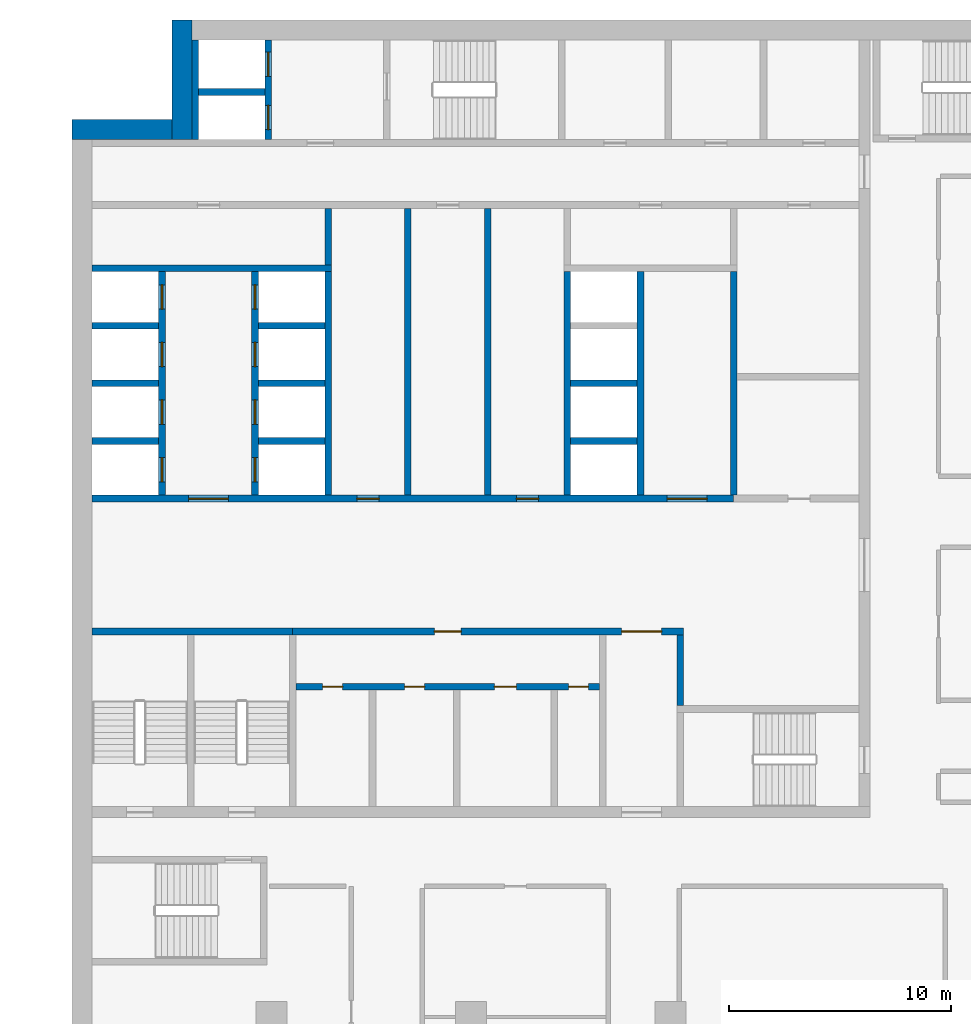
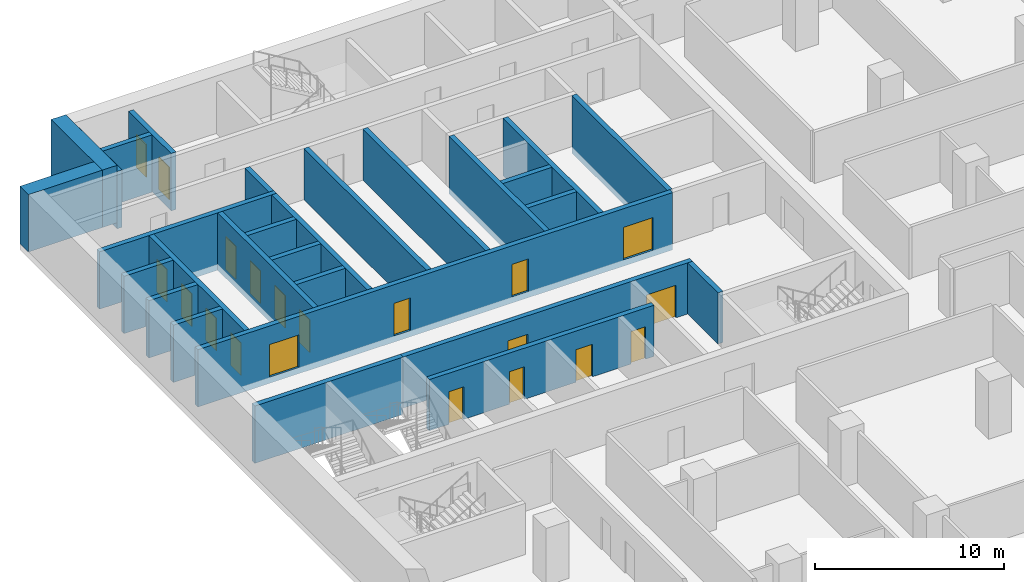
# One storey, part 14 of 28: 28 walls, 20 doors, 20 openings.
"""IFC4 building model written with IfcOpenShell, lengths in metres."""

from ifc_helpers import new_model, si_unit, direction, frame, frame_2d, origin, place, context, subcontext, project, spatial, rectangle, extrude, material, layer, layer_set, type_object, element, fill, save


model = new_model("IFC4")

# Units and contexts
model_context = context("Model", 3, precision=1e-05, world=origin(), true_north=direction((0.0, 1.0)))
body_context = subcontext(model_context, "Body", "Model", "MODEL_VIEW")
ifc_project = project(units=[si_unit("LENGTHUNIT", "METRE"), si_unit("AREAUNIT", "SQUARE_METRE"), si_unit("VOLUMEUNIT", "CUBIC_METRE"), si_unit("PLANEANGLEUNIT", "RADIAN"), si_unit("MASSUNIT", "GRAM", prefix="KILO")], contexts=[model_context])

# Site, building, storey
site_placement = place(None, origin())
site = spatial("IfcSite", under=ifc_project, at=site_placement, CompositionType="ELEMENT")
building_placement = place(site_placement, origin())
building = spatial("IfcBuilding", under=site, at=building_placement, Name="Hunhe Ridgeline Campus", CompositionType="ELEMENT")
storey_placement = place(building_placement, frame((0.0, 0.0, 72.800048828125)))
storey = spatial("IfcBuildingStorey", under=building, at=storey_placement, Name="L17", CompositionType="ELEMENT", Elevation=72.800048828125)

# Wall, openings, doors
ifc_material_1 = material(Name="Masonry concrete blockwork", Category="masonry")
ifc_layer_1 = layer(ifc_material_1, 0.300048828125)
ifc_layer_set_1 = layer_set([ifc_layer_1], Name="Core room partition 300 concrete block")
wall_type_1 = type_object("IfcWallType", Name="Core room partition 300 concrete block", PredefinedType="PARTITIONING", material=ifc_layer_set_1)
wall_1_placement = place(storey_placement, frame((10.10009765625, 68.89990234375, 0.0), z_axis=(0.0, 0.0, 1.0), x_axis=(1.0, 0.0, 0.0)))
wall_1 = element("IfcWall", 1, at=wall_1_placement, inside=storey, type_object=wall_type_1, Name="L17 core partition 11", PredefinedType="PARTITIONING", context=body_context, shape_type="SweptSolid", body=[
    extrude(rectangle(XDim=13.699951171875, YDim=0.300048828125, at=frame_2d((6.85009765625, 0.0))), origin(), (0.0, 0.0, 1.0), 3.300048828125),
])
opening_1_placement = place(wall_1_placement, frame((1.199951171875, 0.0, 0.0)))
opening_1 = element("IfcOpeningElement", 2, at=opening_1_placement, cuts=wall_1, Name="Opening CD8", PredefinedType="OPENING", context=body_context, shape_type="SweptSolid", body=[
    extrude(rectangle(XDim=0.89990234375, YDim=2.10009765625, at=frame_2d((0.449951171875, 1.050048828125))), frame((0.0, 0.14990234375, 0.0), z_axis=(0.0, -1.0, 0.0), x_axis=(1.0, 0.0, 0.0)), (0.0, 0.0, 1.0), 0.300048828125),
])
opening_2_placement = place(wall_1_placement, frame((4.89990234375, 0.0, 0.0)))
opening_2 = element("IfcOpeningElement", 3, at=opening_2_placement, cuts=wall_1, Name="Opening CD9", PredefinedType="OPENING", context=body_context, shape_type="SweptSolid", body=[
    extrude(rectangle(XDim=0.89990234375, YDim=2.10009765625, at=frame_2d((0.449951171875, 1.050048828125))), frame((0.0, 0.14990234375, 0.0), z_axis=(0.0, -1.0, 0.0), x_axis=(1.0, 0.0, 0.0)), (0.0, 0.0, 1.0), 0.300048828125),
])
opening_3_placement = place(wall_1_placement, frame((8.949951171875, 0.0, 0.0)))
opening_3 = element("IfcOpeningElement", 4, at=opening_3_placement, cuts=wall_1, Name="Opening CD10", PredefinedType="OPENING", context=body_context, shape_type="SweptSolid", body=[
    extrude(rectangle(XDim=1.0, YDim=2.10009765625, at=frame_2d((0.5, 1.050048828125))), frame((0.0, 0.14990234375, 0.0), z_axis=(0.0, -1.0, 0.0), x_axis=(1.0, 0.0, 0.0)), (0.0, 0.0, 1.0), 0.300048828125),
])
opening_4_placement = place(wall_1_placement, frame((12.300048828125, 0.0, 0.0)))
opening_4 = element("IfcOpeningElement", 5, at=opening_4_placement, cuts=wall_1, Name="Opening CD11", PredefinedType="OPENING", context=body_context, shape_type="SweptSolid", body=[
    extrude(rectangle(XDim=0.89990234375, YDim=2.10009765625, at=frame_2d((0.449951171875, 1.050048828125))), frame((0.0, 0.14990234375, 0.0), z_axis=(0.0, -1.0, 0.0), x_axis=(1.0, 0.0, 0.0)), (0.0, 0.0, 1.0), 0.300048828125),
])
ifc_material_2 = material(Name="Solid core timber door leaf", Category="wood")
door_type_1 = type_object("IfcDoorType", Name="Timber door 1000x2100", OperationType="SINGLE_SWING_LEFT", PredefinedType="DOOR", material=ifc_material_2)
door_1_placement = place(opening_3_placement, frame((1.0, 0.0, 0.0), z_axis=(0.0, 0.0, 1.0), x_axis=(-1.0, 0.0, 0.0)))
door_1 = element("IfcDoor", 6, at=door_1_placement, inside=storey, type_object=door_type_1, Name="L17 door WC3", OperationType="SINGLE_SWING_RIGHT", OverallHeight=2.10009765625, OverallWidth=1.0, PredefinedType="DOOR", context=body_context, shape_type="SweptSolid", body=[
    extrude(rectangle(XDim=1.0, YDim=2.10009765625, at=frame_2d((0.5, 1.050048828125))), frame((0.0, 0.02490234375, 0.0), z_axis=(0.0, -1.0, 0.0), x_axis=(1.0, 0.0, 0.0)), (0.0, 0.0, 1.0), 0.050048828125),
])
fill(opening_3, door_1)
door_type_2 = type_object("IfcDoorType", Name="Timber door 900x2100", OperationType="SINGLE_SWING_LEFT", PredefinedType="DOOR", material=ifc_material_2)
door_2_placement = place(opening_1_placement, frame((0.89990234375, 0.0, 0.0), z_axis=(0.0, 0.0, 1.0), x_axis=(-1.0, 0.0, 0.0)))
door_2 = element("IfcDoor", 7, at=door_2_placement, inside=storey, type_object=door_type_2, Name="L17 door WC1", OperationType="SINGLE_SWING_RIGHT", OverallHeight=2.10009765625, OverallWidth=0.89990234375, PredefinedType="DOOR", context=body_context, shape_type="SweptSolid", body=[
    extrude(rectangle(XDim=0.89990234375, YDim=2.10009765625, at=frame_2d((0.449951171875, 1.050048828125))), frame((0.0, 0.02490234375, 0.0), z_axis=(0.0, -1.0, 0.0), x_axis=(1.0, 0.0, 0.0)), (0.0, 0.0, 1.0), 0.050048828125),
])
fill(opening_1, door_2)
door_3_placement = place(opening_2_placement, frame((0.89990234375, 0.0, 0.0), z_axis=(0.0, 0.0, 1.0), x_axis=(-1.0, 0.0, 0.0)))
door_3 = element("IfcDoor", 8, at=door_3_placement, inside=storey, type_object=door_type_2, Name="L17 door WC2", OperationType="SINGLE_SWING_LEFT", OverallHeight=2.10009765625, OverallWidth=0.89990234375, PredefinedType="DOOR", context=body_context, shape_type="SweptSolid", body=[
    extrude(rectangle(XDim=0.89990234375, YDim=2.10009765625, at=frame_2d((0.449951171875, 1.050048828125))), frame((0.0, 0.02490234375, 0.0), z_axis=(0.0, -1.0, 0.0), x_axis=(1.0, 0.0, 0.0)), (0.0, 0.0, 1.0), 0.050048828125),
])
fill(opening_2, door_3)
door_4_placement = place(opening_4_placement, frame((0.89990234375, 0.0, 0.0), z_axis=(0.0, 0.0, 1.0), x_axis=(-1.0, 0.0, 0.0)))
door_4 = element("IfcDoor", 9, at=door_4_placement, inside=storey, type_object=door_type_2, Name="L17 door WC4", OperationType="SINGLE_SWING_LEFT", OverallHeight=2.10009765625, OverallWidth=0.89990234375, PredefinedType="DOOR", context=body_context, shape_type="SweptSolid", body=[
    extrude(rectangle(XDim=0.89990234375, YDim=2.10009765625, at=frame_2d((0.449951171875, 1.050048828125))), frame((0.0, 0.02490234375, 0.0), z_axis=(0.0, -1.0, 0.0), x_axis=(1.0, 0.0, 0.0)), (0.0, 0.0, 1.0), 0.050048828125),
])
fill(opening_4, door_4)

wall_2_placement = place(storey_placement, frame((9.949951171875, 71.39990234375, 0.0), z_axis=(0.0, 0.0, 1.0), x_axis=(1.0, 0.0, 0.0)))
wall_2 = element("IfcWall", 10, at=wall_2_placement, inside=storey, type_object=wall_type_1, Name="L17 core partition 13", PredefinedType="PARTITIONING", context=body_context, shape_type="SweptSolid", body=[
    extrude(rectangle(XDim=17.650146484375, YDim=0.300048828125, at=frame_2d((8.8251953125, 0.0))), origin(), (0.0, 0.0, 1.0), 3.300048828125),
])
opening_5_placement = place(wall_2_placement, frame((14.85009765625, 0.0, 0.0)))
opening_5 = element("IfcOpeningElement", 11, at=opening_5_placement, cuts=wall_2, Name="Opening CD7", PredefinedType="OPENING", context=body_context, shape_type="SweptSolid", body=[
    extrude(rectangle(XDim=1.800048828125, YDim=2.10009765625, at=frame_2d((0.89990234375, 1.050048828125))), frame((0.0, 0.14990234375, 0.0), z_axis=(0.0, -1.0, 0.0), x_axis=(1.0, 0.0, 0.0)), (0.0, 0.0, 1.0), 0.300048828125),
])
opening_6_placement = place(wall_2_placement, frame((6.39990234375, 0.0, 0.0)))
opening_6 = element("IfcOpeningElement", 12, at=opening_6_placement, cuts=wall_2, Name="Opening CD37", PredefinedType="OPENING", context=body_context, shape_type="SweptSolid", body=[
    extrude(rectangle(XDim=1.199951171875, YDim=2.10009765625, at=frame_2d((0.60009765625, 1.050048828125))), frame((0.0, 0.14990234375, 0.0), z_axis=(0.0, -1.0, 0.0), x_axis=(1.0, 0.0, 0.0)), (0.0, 0.0, 1.0), 0.300048828125),
])
ifc_material_3 = material(Name="Anodised aluminium and glass", Category="aluminium")
door_type_3 = type_object("IfcDoorType", Name="Glazed double door 1800x2100", OperationType="DOUBLE_DOOR_SINGLE_SWING", PredefinedType="DOOR", material=ifc_material_3)
door_5_placement = place(opening_5_placement, origin())
door_5 = element("IfcDoor", 13, at=door_5_placement, inside=storey, type_object=door_type_3, Name="L17 door VEST-HALL", OperationType="DOUBLE_DOOR_SINGLE_SWING", OverallHeight=2.10009765625, OverallWidth=1.800048828125, PredefinedType="DOOR", context=body_context, shape_type="SweptSolid", body=[
    extrude(rectangle(XDim=1.800048828125, YDim=2.10009765625, at=frame_2d((0.89990234375, 1.050048828125))), frame((0.0, 0.02490234375, 0.0), z_axis=(0.0, -1.0, 0.0), x_axis=(1.0, 0.0, 0.0)), (0.0, 0.0, 1.0), 0.050048828125),
])
fill(opening_5, door_5)
door_type_4 = type_object("IfcDoorType", Name="Timber door 1200x2100", OperationType="SINGLE_SWING_LEFT", PredefinedType="DOOR", material=ifc_material_2)
door_6_placement = place(opening_6_placement, origin())
door_6 = element("IfcDoor", 14, at=door_6_placement, inside=storey, type_object=door_type_4, Name="L17 door WCL1-HALL", OperationType="SINGLE_SWING_LEFT", OverallHeight=2.10009765625, OverallWidth=1.199951171875, PredefinedType="DOOR", context=body_context, shape_type="SweptSolid", body=[
    extrude(rectangle(XDim=1.199951171875, YDim=2.10009765625, at=frame_2d((0.60009765625, 1.050048828125))), frame((0.0, 0.02490234375, 0.0), z_axis=(0.0, -1.0, 0.0), x_axis=(1.0, 0.0, 0.0)), (0.0, 0.0, 1.0), 0.050048828125),
])
fill(opening_6, door_6)

# Walls
wall_3_placement = place(storey_placement, frame((11.550048828125, 87.949951171875, 0.0), z_axis=(0.0, 0.0, 1.0), x_axis=(0.0, 1.0, 0.0)))
element("IfcWall", 15, at=wall_3_placement, inside=storey, type_object=wall_type_1, Name="L17 core partition 44", PredefinedType="PARTITIONING", context=body_context, shape_type="SweptSolid", body=[
    extrude(rectangle(XDim=2.550048828125, YDim=0.300048828125, at=frame_2d((1.27490234375, 0.0))), origin(), (0.0, 0.0, 1.0), 3.300048828125),
])
for number, where, z_axis, x_axis, name in (
    (16, (15.14990234375, 77.550048828125, 0.0), (0.0, 0.0, 1.0), (0.0, 1.0, 0.0), "L17 core partition 47"),
    (17, (18.75, 77.550048828125, 0.0), (0.0, 0.0, 1.0), (0.0, 1.0, 0.0), "L17 core partition 49"),
):
    element("IfcWall", number, at=place(storey_placement, frame(where, z_axis=z_axis, x_axis=x_axis)), inside=storey, type_object=wall_type_1, Name=name, PredefinedType="PARTITIONING", context=body_context, shape_type="SweptSolid", body=[
        extrude(rectangle(XDim=12.949951171875, YDim=0.300048828125, at=frame_2d((6.47509765625, 0.0))), origin(), (0.0, 0.0, 1.0), 3.300048828125),
    ])
wall_4_placement = place(storey_placement, frame((27.449951171875, 68.050048828125, 0.0), z_axis=(0.0, 0.0, 1.0), x_axis=(0.0, 1.0, 0.0)))
element("IfcWall", 18, at=wall_4_placement, inside=storey, type_object=wall_type_1, Name="L17 core partition 60", PredefinedType="PARTITIONING", context=body_context, shape_type="SweptSolid", body=[
    extrude(rectangle(XDim=3.199951171875, YDim=0.300048828125, at=frame_2d((1.60009765625, 0.0))), origin(), (0.0, 0.0, 1.0), 3.300048828125),
])
ifc_material_4 = material(Name="Concrete C80", Category="concrete")
ifc_layer_2 = layer(ifc_material_4, 0.300048828125)
ifc_layer_set_2 = layer_set([ifc_layer_2], Name="Lobby wall 300 reinforced concrete C80")
wall_type_2 = type_object("IfcWallType", Name="Lobby wall 300 reinforced concrete C80", PredefinedType="SOLIDWALL", material=ifc_layer_set_2)
wall_5_placement = place(storey_placement, frame((29.85009765625, 77.550048828125, -0.400146484375), z_axis=(0.0, 0.0, 1.0), x_axis=(0.0, 1.0, 0.0)))
element("IfcWall", 19, at=wall_5_placement, inside=storey, type_object=wall_type_2, Name="L17 core wall 61", PredefinedType="SOLIDWALL", context=body_context, shape_type="SweptSolid", body=[
    extrude(rectangle(XDim=10.099853515625, YDim=0.300048828125, at=frame_2d((5.0498046875, 0.0))), origin(), (0.0, 0.0, 1.0), 3.7001953125),
])

# Wall, openings, doors
ifc_layer_3 = layer(ifc_material_4, 0.300048828125)
ifc_layer_set_3 = layer_set([ifc_layer_3], Name="Shaft wall 300 reinforced concrete C80")
wall_type_3 = type_object("IfcWallType", Name="Shaft wall 300 reinforced concrete C80", PredefinedType="SOLIDWALL", material=ifc_layer_set_3)
wall_6_placement = place(storey_placement, frame((0.89990234375, 77.39990234375, -0.400146484375), z_axis=(0.0, 0.0, 1.0), x_axis=(1.0, 0.0, 0.0)))
wall_6 = element("IfcWall", 20, at=wall_6_placement, inside=storey, type_object=wall_type_3, Name="L17 core wall 14", PredefinedType="SOLIDWALL", context=body_context, shape_type="SweptSolid", body=[
    extrude(rectangle(XDim=28.9501953125, YDim=0.300048828125, at=frame_2d((14.47509765625, 0.0))), origin(), (0.0, 0.0, 1.0), 3.7001953125),
])
opening_7_placement = place(wall_6_placement, frame((4.35009765625, 0.0, 0.39990234375)))
opening_7 = element("IfcOpeningElement", 21, at=opening_7_placement, cuts=wall_6, Name="Opening CD1", PredefinedType="OPENING", context=body_context, shape_type="SweptSolid", body=[
    extrude(rectangle(XDim=1.800048828125, YDim=2.10009765625, at=frame_2d((0.89990234375, 1.050048828125))), frame((0.0, 0.14990234375, 0.0), z_axis=(0.0, -1.0, 0.0), x_axis=(1.0, 0.0, 0.0)), (0.0, 0.0, 1.0), 0.300048828125),
])
opening_8_placement = place(wall_6_placement, frame((25.949951171875, 0.0, 0.39990234375)))
opening_8 = element("IfcOpeningElement", 22, at=opening_8_placement, cuts=wall_6, Name="Opening CD2", PredefinedType="OPENING", context=body_context, shape_type="SweptSolid", body=[
    extrude(rectangle(XDim=1.800048828125, YDim=2.10009765625, at=frame_2d((0.89990234375, 1.050048828125))), frame((0.0, 0.14990234375, 0.0), z_axis=(0.0, -1.0, 0.0), x_axis=(1.0, 0.0, 0.0)), (0.0, 0.0, 1.0), 0.300048828125),
])
opening_9_placement = place(wall_6_placement, frame((11.949951171875, 0.0, 0.39990234375)))
opening_9 = element("IfcOpeningElement", 23, at=opening_9_placement, cuts=wall_6, Name="Opening CD28", PredefinedType="OPENING", context=body_context, shape_type="SweptSolid", body=[
    extrude(rectangle(XDim=1.0, YDim=2.10009765625, at=frame_2d((0.5, 1.050048828125))), frame((0.0, 0.14990234375, 0.0), z_axis=(0.0, -1.0, 0.0), x_axis=(1.0, 0.0, 0.0)), (0.0, 0.0, 1.0), 0.300048828125),
])
opening_10_placement = place(wall_6_placement, frame((19.14990234375, 0.0, 0.39990234375)))
opening_10 = element("IfcOpeningElement", 24, at=opening_10_placement, cuts=wall_6, Name="Opening CD30", PredefinedType="OPENING", context=body_context, shape_type="SweptSolid", body=[
    extrude(rectangle(XDim=1.0, YDim=2.10009765625, at=frame_2d((0.5, 1.050048828125))), frame((0.0, 0.14990234375, 0.0), z_axis=(0.0, -1.0, 0.0), x_axis=(1.0, 0.0, 0.0)), (0.0, 0.0, 1.0), 0.300048828125),
])
ifc_material_5 = material(Name="Hollow metal fire door leaf")
door_type_5 = type_object("IfcDoorType", Name="Lobby door 1800x2100 FD60", OperationType="SINGLE_SWING_LEFT", PredefinedType="DOOR", material=ifc_material_5)
door_7_placement = place(opening_7_placement, frame((1.800048828125, 0.0, 0.0), z_axis=(0.0, 0.0, 1.0), x_axis=(-1.0, 0.0, 0.0)))
door_7 = element("IfcDoor", 25, at=door_7_placement, inside=storey, type_object=door_type_5, Name="L17 door LOB-LR", OperationType="SINGLE_SWING_RIGHT", OverallHeight=2.10009765625, OverallWidth=1.800048828125, PredefinedType="DOOR", context=body_context, shape_type="SweptSolid", body=[
    extrude(rectangle(XDim=1.800048828125, YDim=2.10009765625, at=frame_2d((0.89990234375, 1.050048828125))), frame((0.0, 0.02490234375, 0.0), z_axis=(0.0, -1.0, 0.0), x_axis=(1.0, 0.0, 0.0)), (0.0, 0.0, 1.0), 0.050048828125),
])
fill(opening_7, door_7)
door_8_placement = place(opening_8_placement, frame((1.800048828125, 0.0, 0.0), z_axis=(0.0, 0.0, 1.0), x_axis=(-1.0, 0.0, 0.0)))
door_8 = element("IfcDoor", 26, at=door_8_placement, inside=storey, type_object=door_type_5, Name="L17 door LOB-SH", OperationType="SINGLE_SWING_LEFT", OverallHeight=2.10009765625, OverallWidth=1.800048828125, PredefinedType="DOOR", context=body_context, shape_type="SweptSolid", body=[
    extrude(rectangle(XDim=1.800048828125, YDim=2.10009765625, at=frame_2d((0.89990234375, 1.050048828125))), frame((0.0, 0.02490234375, 0.0), z_axis=(0.0, -1.0, 0.0), x_axis=(1.0, 0.0, 0.0)), (0.0, 0.0, 1.0), 0.050048828125),
])
fill(opening_8, door_8)
door_9_placement = place(opening_9_placement, origin())
door_9 = element("IfcDoor", 27, at=door_9_placement, inside=storey, type_object=door_type_1, Name="L17 door VD-HR0", OperationType="SINGLE_SWING_LEFT", OverallHeight=2.10009765625, OverallWidth=1.0, PredefinedType="DOOR", context=body_context, shape_type="SweptSolid", body=[
    extrude(rectangle(XDim=1.0, YDim=2.10009765625, at=frame_2d((0.5, 1.050048828125))), frame((0.0, 0.02490234375, 0.0), z_axis=(0.0, -1.0, 0.0), x_axis=(1.0, 0.0, 0.0)), (0.0, 0.0, 1.0), 0.050048828125),
])
fill(opening_9, door_9)
door_10_placement = place(opening_10_placement, origin())
door_10 = element("IfcDoor", 28, at=door_10_placement, inside=storey, type_object=door_type_1, Name="L17 door VD-HR2", OperationType="SINGLE_SWING_LEFT", OverallHeight=2.10009765625, OverallWidth=1.0, PredefinedType="DOOR", context=body_context, shape_type="SweptSolid", body=[
    extrude(rectangle(XDim=1.0, YDim=2.10009765625, at=frame_2d((0.5, 1.050048828125))), frame((0.0, 0.02490234375, 0.0), z_axis=(0.0, -1.0, 0.0), x_axis=(1.0, 0.0, 0.0)), (0.0, 0.0, 1.0), 0.050048828125),
])
fill(opening_10, door_10)

# Walls
for number, where, z_axis, x_axis, name in (
    (29, (0.89990234375, 80.0, -0.400146484375), (0.0, 0.0, 1.0), (1.0, 0.0, 0.0), "L17 core wall 16"),
    (30, (8.39990234375, 80.0, -0.400146484375), (0.0, 0.0, 1.0), (1.0, 0.0, 0.0), "L17 core wall 17"),
    (31, (22.5, 80.0, -0.400146484375), (0.0, 0.0, 1.0), (1.0, 0.0, 0.0), "L17 core wall 18"),
    (32, (0.89990234375, 82.60009765625, -0.400146484375), (0.0, 0.0, 1.0), (1.0, 0.0, 0.0), "L17 core wall 19"),
    (33, (8.39990234375, 82.60009765625, -0.400146484375), (0.0, 0.0, 1.0), (1.0, 0.0, 0.0), "L17 core wall 20"),
    (34, (22.5, 82.60009765625, -0.400146484375), (0.0, 0.0, 1.0), (1.0, 0.0, 0.0), "L17 core wall 21"),
    (35, (0.89990234375, 85.199951171875, -0.400146484375), (0.0, 0.0, 1.0), (1.0, 0.0, 0.0), "L17 core wall 23"),
    (36, (8.39990234375, 85.199951171875, -0.400146484375), (0.0, 0.0, 1.0), (1.0, 0.0, 0.0), "L17 core wall 24"),
):
    element("IfcWall", number, at=place(storey_placement, frame(where, z_axis=z_axis, x_axis=x_axis)), inside=storey, type_object=wall_type_3, Name=name, PredefinedType="SOLIDWALL", context=body_context, shape_type="SweptSolid", body=[
        extrude(rectangle(XDim=3.0, YDim=0.300048828125, at=frame_2d((1.5, 0.0))), origin(), (0.0, 0.0, 1.0), 3.7001953125),
    ])
wall_7_placement = place(storey_placement, frame((0.89990234375, 87.800048828125, -0.400146484375), z_axis=(0.0, 0.0, 1.0), x_axis=(1.0, 0.0, 0.0)))
element("IfcWall", 37, at=wall_7_placement, inside=storey, type_object=wall_type_3, Name="L17 core wall 26", PredefinedType="SOLIDWALL", context=body_context, shape_type="SweptSolid", body=[
    extrude(rectangle(XDim=10.800048828125, YDim=0.300048828125, at=frame_2d((5.39990234375, 0.0))), origin(), (0.0, 0.0, 1.0), 3.7001953125),
])
wall_8_placement = place(storey_placement, frame((5.699951171875, 95.75, -0.400146484375), z_axis=(0.0, 0.0, 1.0), x_axis=(1.0, 0.0, 0.0)))
element("IfcWall", 38, at=wall_8_placement, inside=storey, type_object=wall_type_3, Name="L17 core wall 34", PredefinedType="SOLIDWALL", context=body_context, shape_type="SweptSolid", body=[
    extrude(rectangle(XDim=3.0, YDim=0.300048828125, at=frame_2d((1.5, 0.0))), origin(), (0.0, 0.0, 1.0), 3.7001953125),
])

# Wall, openings, doors
wall_9_placement = place(storey_placement, frame((4.050048828125, 77.550048828125, -0.400146484375), z_axis=(0.0, 0.0, 1.0), x_axis=(0.0, 1.0, 0.0)))
wall_9 = element("IfcWall", 39, at=wall_9_placement, inside=storey, type_object=wall_type_3, Name="L17 core wall 35", PredefinedType="SOLIDWALL", context=body_context, shape_type="SweptSolid", body=[
    extrude(rectangle(XDim=10.099853515625, YDim=0.300048828125, at=frame_2d((5.0498046875, 0.0))), origin(), (0.0, 0.0, 1.0), 3.7001953125),
])
opening_11_placement = place(wall_9_placement, frame((0.60009765625, 0.0, 0.39990234375)))
opening_11 = element("IfcOpeningElement", 40, at=opening_11_placement, cuts=wall_9, Name="Opening LD-LR1", PredefinedType="OPENING", context=body_context, shape_type="SweptSolid", body=[
    extrude(rectangle(XDim=1.10009765625, YDim=2.10009765625, at=frame_2d((0.550048828125, 1.050048828125))), frame((0.0, 0.14990234375, 0.0), z_axis=(0.0, -1.0, 0.0), x_axis=(1.0, 0.0, 0.0)), (0.0, 0.0, 1.0), 0.300048828125),
])
opening_12_placement = place(wall_9_placement, frame((3.199951171875, 0.0, 0.39990234375)))
opening_12 = element("IfcOpeningElement", 41, at=opening_12_placement, cuts=wall_9, Name="Opening LD-LR2", PredefinedType="OPENING", context=body_context, shape_type="SweptSolid", body=[
    extrude(rectangle(XDim=1.10009765625, YDim=2.10009765625, at=frame_2d((0.550048828125, 1.050048828125))), frame((0.0, 0.14990234375, 0.0), z_axis=(0.0, -1.0, 0.0), x_axis=(1.0, 0.0, 0.0)), (0.0, 0.0, 1.0), 0.300048828125),
])
opening_13_placement = place(wall_9_placement, frame((5.800048828125, 0.0, 0.39990234375)))
opening_13 = element("IfcOpeningElement", 42, at=opening_13_placement, cuts=wall_9, Name="Opening LD-LR3", PredefinedType="OPENING", context=body_context, shape_type="SweptSolid", body=[
    extrude(rectangle(XDim=1.10009765625, YDim=2.10009765625, at=frame_2d((0.550048828125, 1.050048828125))), frame((0.0, 0.14990234375, 0.0), z_axis=(0.0, -1.0, 0.0), x_axis=(1.0, 0.0, 0.0)), (0.0, 0.0, 1.0), 0.300048828125),
])
opening_14_placement = place(wall_9_placement, frame((8.39990234375, 0.0, 0.39990234375)))
opening_14 = element("IfcOpeningElement", 43, at=opening_14_placement, cuts=wall_9, Name="Opening LD-LR4", PredefinedType="OPENING", context=body_context, shape_type="SweptSolid", body=[
    extrude(rectangle(XDim=1.10009765625, YDim=2.10009765625, at=frame_2d((0.550048828125, 1.050048828125))), frame((0.0, 0.14990234375, 0.0), z_axis=(0.0, -1.0, 0.0), x_axis=(1.0, 0.0, 0.0)), (0.0, 0.0, 1.0), 0.300048828125),
])
ifc_material_6 = material(Name="Stainless steel sliding leaves", Category="steel")
door_type_6 = type_object("IfcDoorType", Name="Landing door 1100x2100 FD120", OperationType="SLIDING_TO_LEFT", PredefinedType="DOOR", material=ifc_material_6)
door_11_placement = place(opening_11_placement, origin())
door_11 = element("IfcDoor", 44, at=door_11_placement, inside=storey, type_object=door_type_6, Name="L17 landing door LR1", OperationType="SLIDING_TO_RIGHT", OverallHeight=2.10009765625, OverallWidth=1.10009765625, PredefinedType="DOOR", context=body_context, shape_type="SweptSolid", body=[
    extrude(rectangle(XDim=1.10009765625, YDim=2.10009765625, at=frame_2d((0.550048828125, 1.050048828125))), frame((0.0, 0.02490234375, 0.0), z_axis=(0.0, -1.0, 0.0), x_axis=(1.0, 0.0, 0.0)), (0.0, 0.0, 1.0), 0.050048828125),
])
fill(opening_11, door_11)
door_12_placement = place(opening_12_placement, origin())
door_12 = element("IfcDoor", 45, at=door_12_placement, inside=storey, type_object=door_type_6, Name="L17 landing door LR2", OperationType="SLIDING_TO_LEFT", OverallHeight=2.10009765625, OverallWidth=1.10009765625, PredefinedType="DOOR", context=body_context, shape_type="SweptSolid", body=[
    extrude(rectangle(XDim=1.10009765625, YDim=2.10009765625, at=frame_2d((0.550048828125, 1.050048828125))), frame((0.0, 0.02490234375, 0.0), z_axis=(0.0, -1.0, 0.0), x_axis=(1.0, 0.0, 0.0)), (0.0, 0.0, 1.0), 0.050048828125),
])
fill(opening_12, door_12)
door_13_placement = place(opening_13_placement, origin())
door_13 = element("IfcDoor", 46, at=door_13_placement, inside=storey, type_object=door_type_6, Name="L17 landing door LR3", OperationType="SLIDING_TO_RIGHT", OverallHeight=2.10009765625, OverallWidth=1.10009765625, PredefinedType="DOOR", context=body_context, shape_type="SweptSolid", body=[
    extrude(rectangle(XDim=1.10009765625, YDim=2.10009765625, at=frame_2d((0.550048828125, 1.050048828125))), frame((0.0, 0.02490234375, 0.0), z_axis=(0.0, -1.0, 0.0), x_axis=(1.0, 0.0, 0.0)), (0.0, 0.0, 1.0), 0.050048828125),
])
fill(opening_13, door_13)
door_14_placement = place(opening_14_placement, origin())
door_14 = element("IfcDoor", 47, at=door_14_placement, inside=storey, type_object=door_type_6, Name="L17 landing door LR4", OperationType="SLIDING_TO_LEFT", OverallHeight=2.10009765625, OverallWidth=1.10009765625, PredefinedType="DOOR", context=body_context, shape_type="SweptSolid", body=[
    extrude(rectangle(XDim=1.10009765625, YDim=2.10009765625, at=frame_2d((0.550048828125, 1.050048828125))), frame((0.0, 0.02490234375, 0.0), z_axis=(0.0, -1.0, 0.0), x_axis=(1.0, 0.0, 0.0)), (0.0, 0.0, 1.0), 0.050048828125),
])
fill(opening_14, door_14)

# Wall
wall_10_placement = place(storey_placement, frame((5.550048828125, 93.60009765625, -0.400146484375), z_axis=(0.0, 0.0, 1.0), x_axis=(0.0, 1.0, 0.0)))
element("IfcWall", 48, at=wall_10_placement, inside=storey, type_object=wall_type_3, Name="L17 core wall 37", PredefinedType="SOLIDWALL", context=body_context, shape_type="SweptSolid", body=[
    extrude(rectangle(XDim=4.5, YDim=0.300048828125, at=frame_2d((2.25, 0.0))), origin(), (0.0, 0.0, 1.0), 3.7001953125),
])

# Wall, openings, doors
wall_11_placement = place(storey_placement, frame((8.25, 77.550048828125, -0.400146484375), z_axis=(0.0, 0.0, 1.0), x_axis=(0.0, 1.0, 0.0)))
wall_11 = element("IfcWall", 49, at=wall_11_placement, inside=storey, type_object=wall_type_3, Name="L17 core wall 38", PredefinedType="SOLIDWALL", context=body_context, shape_type="SweptSolid", body=[
    extrude(rectangle(XDim=10.099853515625, YDim=0.300048828125, at=frame_2d((5.0498046875, 0.0))), origin(), (0.0, 0.0, 1.0), 3.7001953125),
])
opening_15_placement = place(wall_11_placement, frame((0.60009765625, 0.0, 0.39990234375)))
opening_15 = element("IfcOpeningElement", 50, at=opening_15_placement, cuts=wall_11, Name="Opening LD-LR5", PredefinedType="OPENING", context=body_context, shape_type="SweptSolid", body=[
    extrude(rectangle(XDim=1.10009765625, YDim=2.10009765625, at=frame_2d((0.550048828125, 1.050048828125))), frame((0.0, 0.14990234375, 0.0), z_axis=(0.0, -1.0, 0.0), x_axis=(1.0, 0.0, 0.0)), (0.0, 0.0, 1.0), 0.300048828125),
])
opening_16_placement = place(wall_11_placement, frame((3.199951171875, 0.0, 0.39990234375)))
opening_16 = element("IfcOpeningElement", 51, at=opening_16_placement, cuts=wall_11, Name="Opening LD-LR6", PredefinedType="OPENING", context=body_context, shape_type="SweptSolid", body=[
    extrude(rectangle(XDim=1.10009765625, YDim=2.10009765625, at=frame_2d((0.550048828125, 1.050048828125))), frame((0.0, 0.14990234375, 0.0), z_axis=(0.0, -1.0, 0.0), x_axis=(1.0, 0.0, 0.0)), (0.0, 0.0, 1.0), 0.300048828125),
])
opening_17_placement = place(wall_11_placement, frame((5.800048828125, 0.0, 0.39990234375)))
opening_17 = element("IfcOpeningElement", 52, at=opening_17_placement, cuts=wall_11, Name="Opening LD-LR7", PredefinedType="OPENING", context=body_context, shape_type="SweptSolid", body=[
    extrude(rectangle(XDim=1.10009765625, YDim=2.10009765625, at=frame_2d((0.550048828125, 1.050048828125))), frame((0.0, 0.14990234375, 0.0), z_axis=(0.0, -1.0, 0.0), x_axis=(1.0, 0.0, 0.0)), (0.0, 0.0, 1.0), 0.300048828125),
])
opening_18_placement = place(wall_11_placement, frame((8.39990234375, 0.0, 0.39990234375)))
opening_18 = element("IfcOpeningElement", 53, at=opening_18_placement, cuts=wall_11, Name="Opening LD-LR8", PredefinedType="OPENING", context=body_context, shape_type="SweptSolid", body=[
    extrude(rectangle(XDim=1.10009765625, YDim=2.10009765625, at=frame_2d((0.550048828125, 1.050048828125))), frame((0.0, 0.14990234375, 0.0), z_axis=(0.0, -1.0, 0.0), x_axis=(1.0, 0.0, 0.0)), (0.0, 0.0, 1.0), 0.300048828125),
])
door_15_placement = place(opening_15_placement, origin())
door_15 = element("IfcDoor", 54, at=door_15_placement, inside=storey, type_object=door_type_6, Name="L17 landing door LR5", OperationType="SLIDING_TO_RIGHT", OverallHeight=2.10009765625, OverallWidth=1.10009765625, PredefinedType="DOOR", context=body_context, shape_type="SweptSolid", body=[
    extrude(rectangle(XDim=1.10009765625, YDim=2.10009765625, at=frame_2d((0.550048828125, 1.050048828125))), frame((0.0, 0.02490234375, 0.0), z_axis=(0.0, -1.0, 0.0), x_axis=(1.0, 0.0, 0.0)), (0.0, 0.0, 1.0), 0.050048828125),
])
fill(opening_15, door_15)
door_16_placement = place(opening_16_placement, origin())
door_16 = element("IfcDoor", 55, at=door_16_placement, inside=storey, type_object=door_type_6, Name="L17 landing door LR6", OperationType="SLIDING_TO_LEFT", OverallHeight=2.10009765625, OverallWidth=1.10009765625, PredefinedType="DOOR", context=body_context, shape_type="SweptSolid", body=[
    extrude(rectangle(XDim=1.10009765625, YDim=2.10009765625, at=frame_2d((0.550048828125, 1.050048828125))), frame((0.0, 0.02490234375, 0.0), z_axis=(0.0, -1.0, 0.0), x_axis=(1.0, 0.0, 0.0)), (0.0, 0.0, 1.0), 0.050048828125),
])
fill(opening_16, door_16)
door_17_placement = place(opening_17_placement, origin())
door_17 = element("IfcDoor", 56, at=door_17_placement, inside=storey, type_object=door_type_6, Name="L17 landing door LR7", OperationType="SLIDING_TO_RIGHT", OverallHeight=2.10009765625, OverallWidth=1.10009765625, PredefinedType="DOOR", context=body_context, shape_type="SweptSolid", body=[
    extrude(rectangle(XDim=1.10009765625, YDim=2.10009765625, at=frame_2d((0.550048828125, 1.050048828125))), frame((0.0, 0.02490234375, 0.0), z_axis=(0.0, -1.0, 0.0), x_axis=(1.0, 0.0, 0.0)), (0.0, 0.0, 1.0), 0.050048828125),
])
fill(opening_17, door_17)
door_18_placement = place(opening_18_placement, origin())
door_18 = element("IfcDoor", 57, at=door_18_placement, inside=storey, type_object=door_type_6, Name="L17 landing door LR8", OperationType="SLIDING_TO_LEFT", OverallHeight=2.10009765625, OverallWidth=1.10009765625, PredefinedType="DOOR", context=body_context, shape_type="SweptSolid", body=[
    extrude(rectangle(XDim=1.10009765625, YDim=2.10009765625, at=frame_2d((0.550048828125, 1.050048828125))), frame((0.0, 0.02490234375, 0.0), z_axis=(0.0, -1.0, 0.0), x_axis=(1.0, 0.0, 0.0)), (0.0, 0.0, 1.0), 0.050048828125),
])
fill(opening_18, door_18)

wall_12_placement = place(storey_placement, frame((8.85009765625, 93.60009765625, -0.400146484375), z_axis=(0.0, 0.0, 1.0), x_axis=(0.0, 1.0, 0.0)))
wall_12 = element("IfcWall", 58, at=wall_12_placement, inside=storey, type_object=wall_type_3, Name="L17 core wall 41", PredefinedType="SOLIDWALL", context=body_context, shape_type="SweptSolid", body=[
    extrude(rectangle(XDim=4.5, YDim=0.300048828125, at=frame_2d((2.25, 0.0))), origin(), (0.0, 0.0, 1.0), 3.7001953125),
])
opening_19_placement = place(wall_12_placement, frame((0.449951171875, 0.0, 0.39990234375)))
opening_19 = element("IfcOpeningElement", 59, at=opening_19_placement, cuts=wall_12, Name="Opening LD-FF1", PredefinedType="OPENING", context=body_context, shape_type="SweptSolid", body=[
    extrude(rectangle(XDim=1.10009765625, YDim=2.10009765625, at=frame_2d((0.550048828125, 1.050048828125))), frame((0.0, 0.14990234375, 0.0), z_axis=(0.0, -1.0, 0.0), x_axis=(1.0, 0.0, 0.0)), (0.0, 0.0, 1.0), 0.300048828125),
])
opening_20_placement = place(wall_12_placement, frame((2.85009765625, 0.0, 0.39990234375)))
opening_20 = element("IfcOpeningElement", 60, at=opening_20_placement, cuts=wall_12, Name="Opening LD-FF2", PredefinedType="OPENING", context=body_context, shape_type="SweptSolid", body=[
    extrude(rectangle(XDim=1.10009765625, YDim=2.10009765625, at=frame_2d((0.550048828125, 1.050048828125))), frame((0.0, 0.14990234375, 0.0), z_axis=(0.0, -1.0, 0.0), x_axis=(1.0, 0.0, 0.0)), (0.0, 0.0, 1.0), 0.300048828125),
])
door_19_placement = place(opening_19_placement, origin())
door_19 = element("IfcDoor", 61, at=door_19_placement, inside=storey, type_object=door_type_6, Name="L17 landing door FF1", OperationType="SLIDING_TO_RIGHT", OverallHeight=2.10009765625, OverallWidth=1.10009765625, PredefinedType="DOOR", context=body_context, shape_type="SweptSolid", body=[
    extrude(rectangle(XDim=1.10009765625, YDim=2.10009765625, at=frame_2d((0.550048828125, 1.050048828125))), frame((0.0, 0.02490234375, 0.0), z_axis=(0.0, -1.0, 0.0), x_axis=(1.0, 0.0, 0.0)), (0.0, 0.0, 1.0), 0.050048828125),
])
fill(opening_19, door_19)
door_20_placement = place(opening_20_placement, origin())
door_20 = element("IfcDoor", 62, at=door_20_placement, inside=storey, type_object=door_type_6, Name="L17 landing door FF2", OperationType="SLIDING_TO_LEFT", OverallHeight=2.10009765625, OverallWidth=1.10009765625, PredefinedType="DOOR", context=body_context, shape_type="SweptSolid", body=[
    extrude(rectangle(XDim=1.10009765625, YDim=2.10009765625, at=frame_2d((0.550048828125, 1.050048828125))), frame((0.0, 0.02490234375, 0.0), z_axis=(0.0, -1.0, 0.0), x_axis=(1.0, 0.0, 0.0)), (0.0, 0.0, 1.0), 0.050048828125),
])
fill(opening_20, door_20)

# Walls
for number, where, z_axis, x_axis, name in (
    (63, (11.550048828125, 77.550048828125, -0.400146484375), (0.0, 0.0, 1.0), (0.0, 1.0, 0.0), "L17 core wall 43"),
    (64, (22.35009765625, 77.550048828125, -0.400146484375), (0.0, 0.0, 1.0), (0.0, 1.0, 0.0), "L17 core wall 53"),
    (65, (25.64990234375, 77.550048828125, -0.400146484375), (0.0, 0.0, 1.0), (0.0, 1.0, 0.0), "L17 core wall 57"),
):
    element("IfcWall", number, at=place(storey_placement, frame(where, z_axis=z_axis, x_axis=x_axis)), inside=storey, type_object=wall_type_3, Name=name, PredefinedType="SOLIDWALL", context=body_context, shape_type="SweptSolid", body=[
        extrude(rectangle(XDim=10.099853515625, YDim=0.300048828125, at=frame_2d((5.0498046875, 0.0))), origin(), (0.0, 0.0, 1.0), 3.7001953125),
    ])
ifc_layer_4 = layer(ifc_material_4, 0.89990234375)
ifc_layer_set_4 = layer_set([ifc_layer_4], Name="Spine wall 900 Concrete C80")
wall_type_4 = type_object("IfcWallType", Name="Spine wall 900 Concrete C80", PredefinedType="SHEAR", material=ifc_layer_set_4)
for number, where, z_axis, x_axis, name in (
    (66, (4.949951171875, 99.0, 0.0), (0.0, 0.0, 1.0), (0.0, -1.0, 0.0), "Spine wall SW1-5 L17"),
    (67, (5.400146484375, 94.050048828125, 0.0), (0.0, 0.0, 1.0), (-1.0, 0.0, 0.0), "Spine wall SW1-6 L17"),
):
    element("IfcWall", number, at=place(storey_placement, frame(where, z_axis=z_axis, x_axis=x_axis)), inside=storey, type_object=wall_type_4, Name=name, PredefinedType="SHEAR", context=body_context, shape_type="SweptSolid", body=[
        extrude(rectangle(XDim=5.400146484375, YDim=0.89990234375, at=frame_2d((2.7001953125, 0.0))), origin(), (0.0, 0.0, 1.0), 3.699951171875),
    ])
ifc_layer_5 = layer(ifc_material_4, 0.300048828125)
ifc_layer_set_5 = layer_set([ifc_layer_5], Name="Stair wall 300 reinforced concrete C80")
wall_type_5 = type_object("IfcWallType", Name="Stair wall 300 reinforced concrete C80", PredefinedType="SOLIDWALL", material=ifc_layer_set_5)
wall_13_placement = place(storey_placement, frame((0.89990234375, 71.39990234375, -0.400146484375), z_axis=(0.0, 0.0, 1.0), x_axis=(1.0, 0.0, 0.0)))
element("IfcWall", 68, at=wall_13_placement, inside=storey, type_object=wall_type_5, Name="L17 core wall 12", PredefinedType="SOLIDWALL", context=body_context, shape_type="SweptSolid", body=[
    extrude(rectangle(XDim=9.050048828125, YDim=0.300048828125, at=frame_2d((4.52490234375, 0.0))), origin(), (0.0, 0.0, 1.0), 3.7001953125),
])

save(model, "model.ifc")
